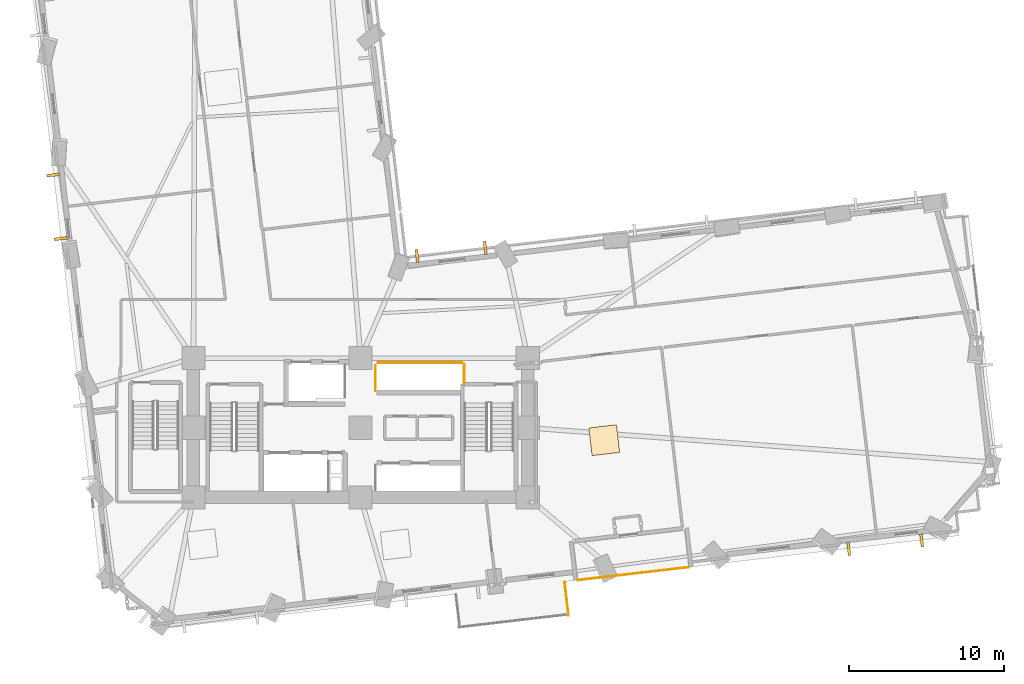
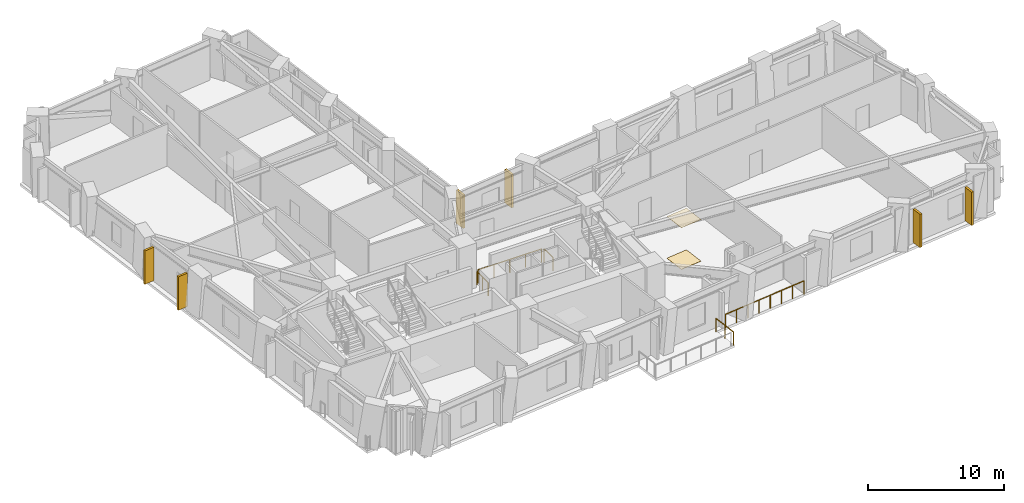
# One storey, part 12 of 14: 6 shading devices, 5 railings, 2 coverings.
"""IFC4 building model written with IfcOpenShell, lengths in metres."""

from ifc_helpers import new_model, si_unit, direction, frame, origin, origin_2d, place, context, subcontext, project, spatial, rectangle, circle, extrude, material, layer, layer_set, type_object, element, save


model = new_model("IFC4")

# Units and contexts
model_context = context("Model", 3, precision=1e-05, world=origin(), true_north=direction((0.0, 1.0)))
body_context = subcontext(model_context, "Body", "Model", "MODEL_VIEW")
ifc_project = project(units=[si_unit("LENGTHUNIT", "METRE"), si_unit("AREAUNIT", "SQUARE_METRE"), si_unit("VOLUMEUNIT", "CUBIC_METRE"), si_unit("PLANEANGLEUNIT", "RADIAN"), si_unit("MASSUNIT", "GRAM", prefix="KILO")], contexts=[model_context])

# Site, building, storey
site_placement = place(None, origin())
site = spatial("IfcSite", under=ifc_project, at=site_placement, CompositionType="ELEMENT")
building_placement = place(site_placement, origin())
building = spatial("IfcBuilding", under=site, at=building_placement, Name="Gaonmaruhae Medical Tower", CompositionType="ELEMENT")
storey_placement = place(building_placement, frame((0.0, 0.0, 51.0)))
storey = spatial("IfcBuildingStorey", under=building, at=storey_placement, Name="L11", CompositionType="ELEMENT", Elevation=51.0)

# Coverings
ifc_material_1 = material(Name="Acoustic mineral ceiling tile", Category="finish")
ifc_layer_1 = layer(ifc_material_1, 0.02490234375)
ifc_layer_set_1 = layer_set([ifc_layer_1], Name="Acoustic mineral ceiling tile")
covering_type_1 = type_object("IfcCoveringType", Name="CLG-01 Antimicrobial Acoustic Mineral Ceiling", PredefinedType="CEILING", material=ifc_layer_set_1)
covering_1_placement = place(storey_placement, frame((40.537109375, 11.49853515625, 3.735107421875), z_axis=(0.0, 0.0, 1.0), x_axis=(0.993272085779, 0.115803987891, 0.0)))
element("IfcCovering", 1, at=covering_1_placement, inside=storey, type_object=covering_type_1, Name="L11 Clinical Room Acoustic Ceiling 4", PredefinedType="CEILING", context=body_context, shape_type="SweptSolid", body=[
    extrude(rectangle(XDim=1.800048828125, YDim=1.800048828125, at=origin_2d()), origin(), (0.0, 0.0, 1.0), 0.02490234375),
])
ifc_material_2 = material(Name="Seamless clinical vinyl flooring", Category="finish")
ifc_layer_2 = layer(ifc_material_2, 0.014892578125)
ifc_layer_set_2 = layer_set([ifc_layer_2], Name="Seamless clinical vinyl flooring")
covering_type_2 = type_object("IfcCoveringType", Name="FLR-01 Seamless Clinical Antistatic Vinyl Flooring", PredefinedType="FLOORING", material=ifc_layer_set_2)
covering_2_placement = place(storey_placement, frame((40.537109375, 11.49853515625, 0.0), z_axis=(0.0, 0.0, 1.0), x_axis=(0.993272085779, 0.115803987891, 0.0)))
element("IfcCovering", 2, at=covering_2_placement, inside=storey, type_object=covering_type_2, Name="L11 Clinical Room Vinyl Flooring 4", PredefinedType="FLOORING", context=body_context, shape_type="SweptSolid", body=[
    extrude(rectangle(XDim=1.800048828125, YDim=1.800048828125, at=origin_2d()), origin(), (0.0, 0.0, 1.0), 0.014892578125),
])

# Railings
ifc_material_3 = material(Name="Stainless steel 316L and laminated safety glass", Category="steel")
ifc_layer_3 = layer(ifc_material_3, 0.080078125)
ifc_layer_set_3 = layer_set([ifc_layer_3], Name="Stainless steel 316L and laminated safety glass")
railing_type_1 = type_object("IfcRailingType", Name="GD-120 Outdoor Terrace Safety Glass & Steel Balustrade", PredefinedType="BALUSTRADE", material=ifc_layer_set_3)
railing_1_placement = place(storey_placement, frame((38.841796875, 2.456787109375, 0.0)))
element("IfcRailing", 3, at=railing_1_placement, inside=storey, type_object=railing_type_1, Name="L11 Terrace Safety Guard RL-SLB-L11-TER-01", PredefinedType="BALUSTRADE", context=body_context, shape_type="SweptSolid", body=[
    extrude(circle(Radius=0.02392578125, at=origin_2d()), frame((0.0, 0.0, 1.17578125), z_axis=(0.993272957654, 0.115796509418, 0.0), x_axis=(-0.115796509418, 0.993272957654, 0.0)), (0.0, 0.0, 1.0), 7.199951171875),
    extrude(circle(Radius=0.02099609375, at=origin_2d()), origin(), (0.0, 0.0, 1.0), 1.15185546875),
    extrude(circle(Radius=0.02099609375, at=origin_2d()), frame((1.021728515625, 0.119140625, 0.0)), (0.0, 0.0, 1.0), 1.15185546875),
    extrude(circle(Radius=0.02099609375, at=origin_2d()), frame((2.043212890625, 0.23828125, 0.0)), (0.0, 0.0, 1.0), 1.15185546875),
    extrude(circle(Radius=0.02099609375, at=origin_2d()), frame((3.06494140625, 0.357421875, 0.0)), (0.0, 0.0, 1.0), 1.15185546875),
    extrude(circle(Radius=0.02099609375, at=origin_2d()), frame((4.086669921875, 0.476318359375, 0.0)), (0.0, 0.0, 1.0), 1.15185546875),
    extrude(circle(Radius=0.02099609375, at=origin_2d()), frame((5.1083984375, 0.595458984375, 0.0)), (0.0, 0.0, 1.0), 1.15185546875),
    extrude(circle(Radius=0.02099609375, at=origin_2d()), frame((6.1298828125, 0.714599609375, 0.0)), (0.0, 0.0, 1.0), 1.15185546875),
    extrude(circle(Radius=0.02099609375, at=origin_2d()), frame((7.151611328125, 0.833740234375, 0.0)), (0.0, 0.0, 1.0), 1.15185546875),
])
railing_2_placement = place(storey_placement, frame((37.97998046875, 2.3359375, 0.0)))
element("IfcRailing", 4, at=railing_2_placement, inside=storey, type_object=railing_type_1, Name="L11 Perimeter Slab Edge Safety Balustrade 07", PredefinedType="BALUSTRADE", context=body_context, shape_type="SweptSolid", body=[
    extrude(circle(Radius=0.02392578125, at=origin_2d()), frame((0.0, 0.0, 1.17578125), z_axis=(0.115752448791, -0.993278093285, 0.0), x_axis=(0.993278093285, 0.115752448791, 0.0)), (0.0, 0.0, 1.0), 2.15966796875),
    extrude(circle(Radius=0.02099609375, at=origin_2d()), origin(), (0.0, 0.0, 1.0), 1.15185546875),
    extrude(circle(Radius=0.02099609375, at=origin_2d()), frame((0.125, -1.07275390625, 0.0)), (0.0, 0.0, 1.0), 1.15185546875),
    extrude(circle(Radius=0.02099609375, at=origin_2d()), frame((0.25, -2.145263671875, 0.0)), (0.0, 0.0, 1.0), 1.15185546875),
])

# Shading devices
ifc_material_4 = material(Name="Pigmented coral precast concrete C45/55", Category="concrete")
shading_device_type = type_object("IfcShadingDeviceType", Name="SD-FIN1 Tower Vertical Coral Precast Shading Fin", PredefinedType="USERDEFINED", material=ifc_material_4)
for number, where, z_axis, x_axis, name in (
    (5, (61.0390625, 5.029541015625, 0.08251953125), (0.0, 0.0, 1.0), (-0.993272085779, -0.115803987891, 0.0), "L11 Vertical Coral Precast Shading Fin S07"),
    (6, (56.326416015625, 4.47998046875, 0.08251953125), (0.0, 0.0, 1.0), (-0.993272085779, -0.115803987891, 0.0), "L11 Vertical Coral Precast Shading Fin S07B"),
    (7, (28.443603515625, 23.408447265625, 0.08251953125), (0.0, 0.0, 1.0), (0.993272085779, 0.115803987891, 0.0), "L11 Vertical Coral Precast Shading Fin EN04"),
    (8, (32.849853515625, 23.922119140625, 0.08251953125), (0.0, 0.0, 1.0), (0.993272085779, 0.115803987891, 0.0), "L11 Vertical Coral Precast Shading Fin EN04B"),
    (9, (5.428466796875, 24.515625, 0.08251953125), (0.0, 0.0, 1.0), (-0.115821323742, 0.993270064467, 0.0), "L11 Vertical Coral Precast Shading Fin W03"),
    (10, (4.94921875, 28.625732421875, 0.08251953125), (0.0, 0.0, 1.0), (-0.115821323742, 0.993270064467, 0.0), "L11 Vertical Coral Precast Shading Fin W03B"),
):
    element("IfcShadingDevice", number, at=place(storey_placement, frame(where, z_axis=z_axis, x_axis=x_axis)), inside=storey, type_object=shading_device_type, Name=name, ObjectType="FIN", PredefinedType="USERDEFINED", context=body_context, shape_type="SweptSolid", body=[
        extrude(rectangle(XDim=0.179931640625, YDim=0.85009765625, at=origin_2d()), origin(), (0.0, 0.0, 1.0), 3.0),
    ])

# Railings
ifc_material_5 = material(Name="Stainless steel 304 balustrade", Category="steel")
railing_type_2 = type_object("IfcRailingType", Name="SG-112 Stair Well & Ramp Void Safety Balustrade", PredefinedType="BALUSTRADE", material=ifc_material_5)
railing_3_placement = place(storey_placement, frame((31.4951171875, 16.405029296875, 0.0)))
element("IfcRailing", 11, at=railing_3_placement, inside=storey, type_object=railing_type_2, Name="L11 Shaft Edge Safety Guard 14", PredefinedType="BALUSTRADE", context=body_context, shape_type="SweptSolid", body=[
    extrude(circle(Radius=0.02392578125, at=origin_2d()), frame((0.0, 0.0, 1.17578125), z_axis=(0.0, -1.0, 0.0), x_axis=(1.0, 0.0, 0.0)), (0.0, 0.0, 1.0), 1.284912109375),
    extrude(circle(Radius=0.02099609375, at=origin_2d()), origin(), (0.0, 0.0, 1.0), 1.15185546875),
    extrude(circle(Radius=0.02099609375, at=origin_2d()), frame((0.0, -1.284912109375, 0.0)), (0.0, 0.0, 1.0), 1.15185546875),
])
railing_4_placement = place(storey_placement, frame((25.7548828125, 14.695068359375, 0.0)))
element("IfcRailing", 12, at=railing_4_placement, inside=storey, type_object=railing_type_2, Name="L11 Shaft Edge Safety Guard 15", PredefinedType="BALUSTRADE", context=body_context, shape_type="SweptSolid", body=[
    extrude(circle(Radius=0.02392578125, at=origin_2d()), frame((0.0, 0.0, 1.17578125), z_axis=(0.0, 1.0, 0.0), x_axis=(-1.0, 0.0, 0.0)), (0.0, 0.0, 1.0), 1.635009765625),
    extrude(circle(Radius=0.02099609375, at=origin_2d()), origin(), (0.0, 0.0, 1.0), 1.15185546875),
    extrude(circle(Radius=0.02099609375, at=origin_2d()), frame((0.0, 0.8173828125, 0.0)), (0.0, 0.0, 1.0), 1.15185546875),
    extrude(circle(Radius=0.02099609375, at=origin_2d()), frame((0.0, 1.635009765625, 0.0)), (0.0, 0.0, 1.0), 1.15185546875),
])
railing_5_placement = place(storey_placement, frame((25.919921875, 16.4951171875, 0.0)))
element("IfcRailing", 13, at=railing_5_placement, inside=storey, type_object=railing_type_2, Name="L11 Shaft Edge Safety Guard 16", PredefinedType="BALUSTRADE", context=body_context, shape_type="SweptSolid", body=[
    extrude(circle(Radius=0.02392578125, at=origin_2d()), frame((0.0, 0.0, 1.17578125), z_axis=(1.0, 0.0, 0.0), x_axis=(0.0, 1.0, 0.0)), (0.0, 0.0, 1.0), 5.41015625),
    extrude(circle(Radius=0.02099609375, at=origin_2d()), origin(), (0.0, 0.0, 1.0), 1.15185546875),
    extrude(circle(Radius=0.02099609375, at=origin_2d()), frame((1.3525390625, 0.0, 0.0)), (0.0, 0.0, 1.0), 1.15185546875),
    extrude(circle(Radius=0.02099609375, at=origin_2d()), frame((2.705078125, 0.0, 0.0)), (0.0, 0.0, 1.0), 1.15185546875),
    extrude(circle(Radius=0.02099609375, at=origin_2d()), frame((4.0576171875, 0.0, 0.0)), (0.0, 0.0, 1.0), 1.15185546875),
    extrude(circle(Radius=0.02099609375, at=origin_2d()), frame((5.41015625, 0.0, 0.0)), (0.0, 0.0, 1.0), 1.15185546875),
])

save(model, "model.ifc")
